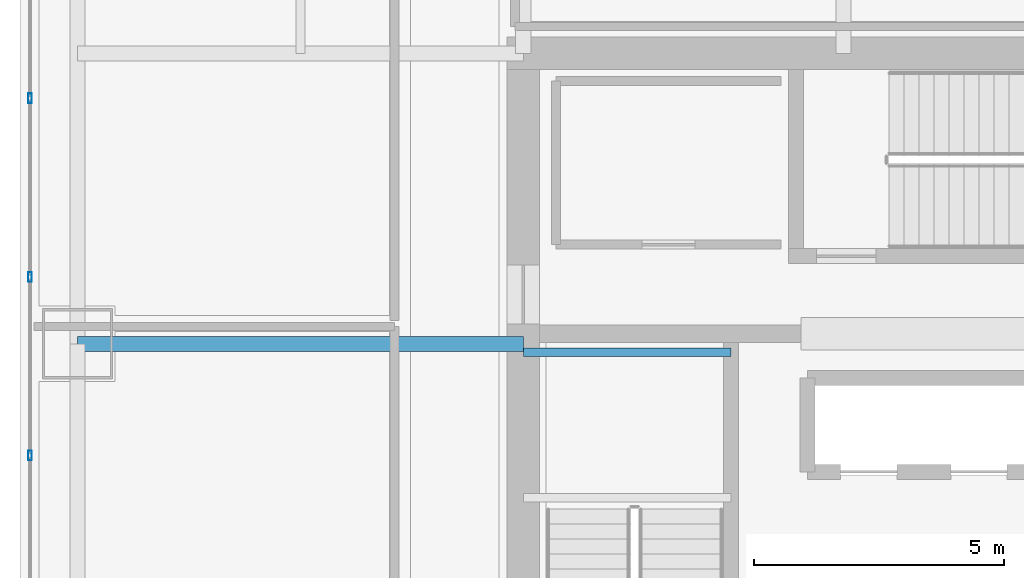
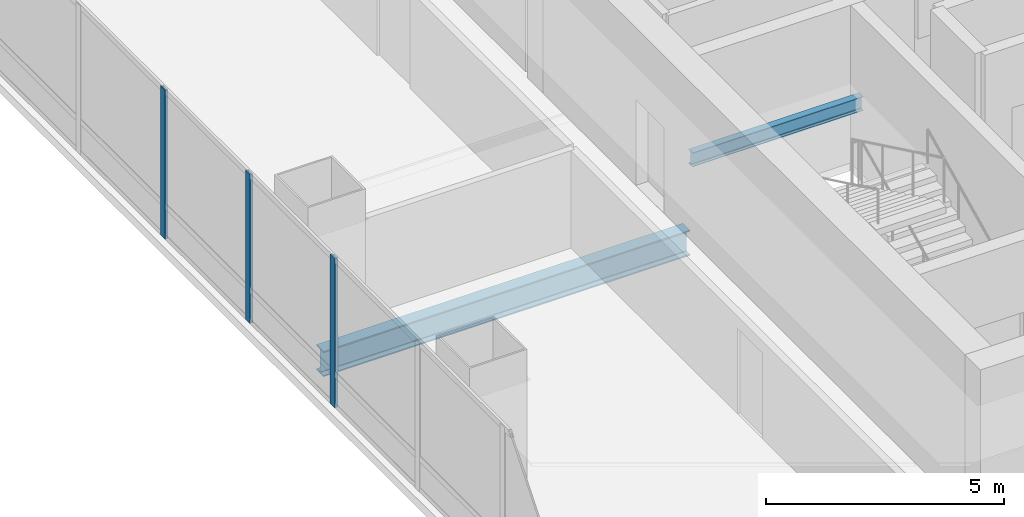
# One storey, part 11 of 35: 3 members, 2 beams, 1 element without a shape of its own.
"""IFC4 building model written with IfcOpenShell, lengths in metres."""

from ifc_helpers import new_model, si_unit, direction, frame, origin, origin_2d, place, context, subcontext, project, spatial, hollow_rectangle, i_section, extrude, material, material_profile, profile_set, type_object, element, aggregate, save


model = new_model("IFC4")

# Units and contexts
model_context = context("Model", 3, precision=1e-05, world=origin(), true_north=direction((0.0, 1.0)))
body_context = subcontext(model_context, "Body", "Model", "MODEL_VIEW")
ifc_project = project(units=[si_unit("LENGTHUNIT", "METRE"), si_unit("AREAUNIT", "SQUARE_METRE"), si_unit("VOLUMEUNIT", "CUBIC_METRE"), si_unit("PLANEANGLEUNIT", "RADIAN"), si_unit("MASSUNIT", "GRAM", prefix="KILO")], contexts=[model_context])

# Site, building, storey
site_placement = place(None, origin())
site = spatial("IfcSite", under=ifc_project, at=site_placement, CompositionType="ELEMENT")
building_placement = place(site_placement, origin())
building = spatial("IfcBuilding", under=site, at=building_placement, Name="Punatoya Terracotta Tower", CompositionType="ELEMENT")
storey_placement = place(building_placement, frame((0.0, 0.0, 216.75)))
storey = spatial("IfcBuildingStorey", under=building, at=storey_placement, Name="L51", CompositionType="ELEMENT", Elevation=216.75)

# Beams
ifc_material_1 = material(Name="Steel S355", Category="steel")
ifc_material_profile_1 = material_profile(ifc_material_1, i_section(OverallWidth=0.300048828125, OverallDepth=0.64990234375, WebThickness=0.01611328125, FlangeThickness=0.031005859375, FilletRadius=0.01806640625, at=origin_2d()))
ifc_profile_set_1 = profile_set([ifc_material_profile_1], Name="Steel S355")
beam_type_1 = type_object("IfcBeamType", Name="BM-PRI-650", PredefinedType="BEAM", material=ifc_profile_set_1)
beam_1_placement = place(storey_placement, frame((-19.10009765625, 3.39990234375, -0.544921875), z_axis=(1.0, 0.0, 0.0), x_axis=(0.0, 1.0, 0.0)))
element("IfcBeam", 1, at=beam_1_placement, inside=storey, type_object=beam_type_1, Name="BM-L51-PR-WE", PredefinedType="BEAM", context=body_context, shape_type="SweptSolid", body=[
    extrude(i_section(OverallWidth=0.300048828125, OverallDepth=0.64990234375, WebThickness=0.01611328125, FlangeThickness=0.031005859375, FilletRadius=0.01806640625, at=origin_2d()), origin(), (0.0, 0.0, 1.0), 8.900146484375),
])
ifc_material_profile_2 = material_profile(ifc_material_1, i_section(OverallWidth=0.169921875, OverallDepth=0.360107421875, WebThickness=0.008056640625, FlangeThickness=0.0126953125, FilletRadius=0.01806640625, at=origin_2d()))
ifc_profile_set_2 = profile_set([ifc_material_profile_2], Name="Steel S355")
beam_type_2 = type_object("IfcBeamType", Name="BM-SEC-360", PredefinedType="JOIST", material=ifc_profile_set_2)
beam_2_placement = place(storey_placement, frame((-10.199951171875, 3.22998046875, 1.64501953125), z_axis=(1.0, 0.0, 0.0), x_axis=(0.0, 1.0, 0.0)))
element("IfcBeam", 2, at=beam_2_placement, inside=storey, type_object=beam_type_2, Name="BM-L51-ST-1-LD1B", PredefinedType="JOIST", context=body_context, shape_type="SweptSolid", body=[
    extrude(i_section(OverallWidth=0.169921875, OverallDepth=0.360107421875, WebThickness=0.008056640625, FlangeThickness=0.0126953125, FilletRadius=0.01806640625, at=origin_2d()), origin(), (0.0, 0.0, 1.0), 4.14990234375),
])

# Curtain wall, members
ifc_material_2 = material(Name="Aluminium 6063-T6 + Double Low-E Glass", Category="aluminium")
curtain_wall_type = type_object("IfcCurtainWallType", Name="CW-M2", PredefinedType="NOTDEFINED", material=ifc_material_2)
curtain_wall_placement = place(storey_placement, origin())
curtain_wall = element("IfcCurtainWall", 3, at=curtain_wall_placement, inside=storey, type_object=curtain_wall_type, Name="L51 Curtain Wall CW-L51-W13-1", PredefinedType="NOTDEFINED")
ifc_material_3 = material(Name="Aluminium 6063-T6", Category="aluminium")
ifc_material_profile_3 = material_profile(ifc_material_3, hollow_rectangle(XDim=0.072021484375, YDim=0.195068359375, WallThickness=0.00439453125, at=origin_2d()))
ifc_profile_set_3 = profile_set([ifc_material_profile_3], Name="Aluminium 6063-T6")
member_type = type_object("IfcMemberType", Name="CW-MUL-M2", PredefinedType="MULLION", material=ifc_profile_set_3)
member_1_placement = place(storey_placement, frame((-20.050048828125, 8.302001953125, 0.0), z_axis=(0.0, 0.0, 1.0), x_axis=(1.0, 0.0, 0.0)))
member_1 = element("IfcMember", 4, at=member_1_placement, type_object=member_type, Name="CW-L51-W13-1 Mullion 02", PredefinedType="MULLION", context=body_context, shape_type="SweptSolid", body=[
    extrude(hollow_rectangle(XDim=0.072021484375, YDim=0.195068359375, WallThickness=0.00439453125, at=origin_2d()), origin(), (0.0, 0.0, 1.0), 3.830078125),
])
member_2_placement = place(storey_placement, frame((-20.050048828125, 4.73486328125, 0.0), z_axis=(0.0, 0.0, 1.0), x_axis=(1.0, 0.0, 0.0)))
member_2 = element("IfcMember", 5, at=member_2_placement, type_object=member_type, Name="CW-L51-W13-1 Mullion 03", PredefinedType="MULLION", context=body_context, shape_type="SweptSolid", body=[
    extrude(hollow_rectangle(XDim=0.072021484375, YDim=0.195068359375, WallThickness=0.00439453125, at=origin_2d()), origin(), (0.0, 0.0, 1.0), 3.830078125),
])
member_3_placement = place(storey_placement, frame((-20.050048828125, 1.16748046875, 0.0), z_axis=(0.0, 0.0, 1.0), x_axis=(1.0, 0.0, 0.0)))
member_3 = element("IfcMember", 6, at=member_3_placement, type_object=member_type, Name="CW-L51-W13-1 Mullion 04", PredefinedType="MULLION", context=body_context, shape_type="SweptSolid", body=[
    extrude(hollow_rectangle(XDim=0.072021484375, YDim=0.195068359375, WallThickness=0.00439453125, at=origin_2d()), origin(), (0.0, 0.0, 1.0), 3.830078125),
])
aggregate(curtain_wall, [member_1, member_2, member_3])

save(model, "model.ifc")
